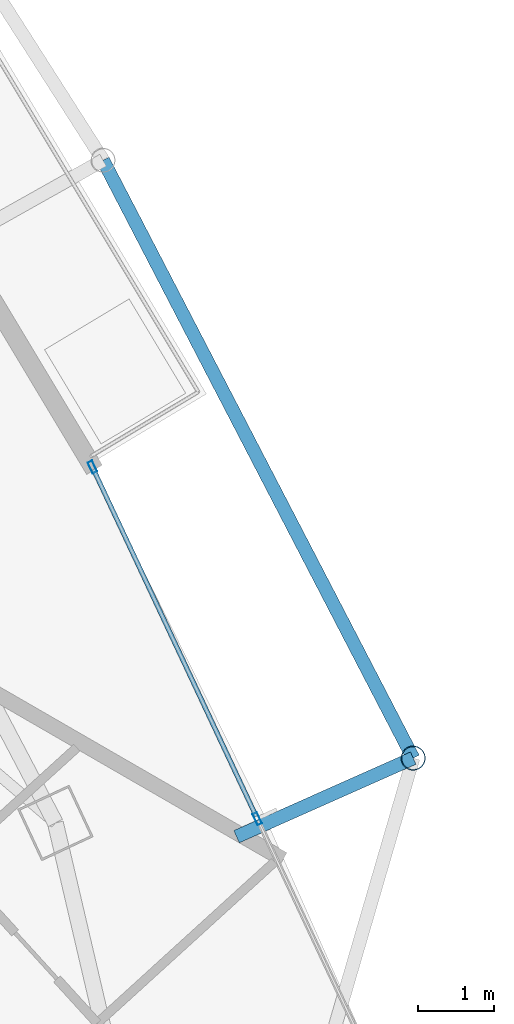
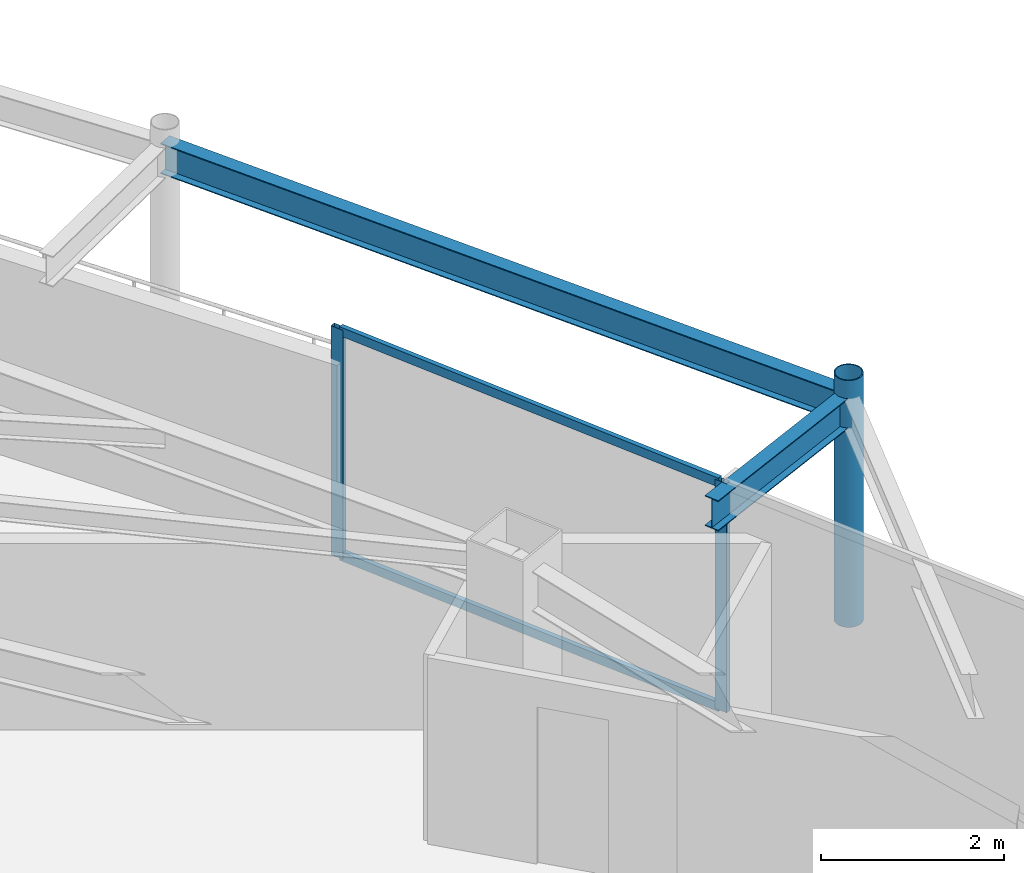
# One storey, part 20 of 33: 5 members, 2 beams, 1 element without a shape of its own.
"""IFC4 building model written with IfcOpenShell, lengths in metres."""

from ifc_helpers import new_model, si_unit, direction, frame, origin, origin_2d, place, context, subcontext, project, spatial, hollow_rectangle, hollow_circle, i_section, extrude, material, layer, layer_set, material_profile, profile_set, type_object, element, aggregate, save


model = new_model("IFC4")

# Units and contexts
model_context = context("Model", 3, precision=1e-05, world=origin(), true_north=direction((0.0, 1.0)))
body_context = subcontext(model_context, "Body", "Model", "MODEL_VIEW")
ifc_project = project(units=[si_unit("LENGTHUNIT", "METRE"), si_unit("AREAUNIT", "SQUARE_METRE"), si_unit("VOLUMEUNIT", "CUBIC_METRE"), si_unit("PLANEANGLEUNIT", "RADIAN"), si_unit("MASSUNIT", "GRAM", prefix="KILO")], contexts=[model_context])

# Site, building, storey
site_placement = place(None, origin())
site = spatial("IfcSite", under=ifc_project, at=site_placement, CompositionType="ELEMENT")
building_placement = place(site_placement, origin())
building = spatial("IfcBuilding", under=site, at=building_placement, Name="Orvanel Arch Residences", CompositionType="ELEMENT")
storey_placement = place(building_placement, frame((0.0, 0.0, 196.39990234375)))
storey = spatial("IfcBuildingStorey", under=building, at=storey_placement, Name="L55", CompositionType="ELEMENT", Elevation=196.39990234375)

# Curtain wall, members
ifc_material_1 = material(Name="Bronze-anodised aluminium AA6063-T6", Category="aluminium")
ifc_layer = layer(ifc_material_1, 0.175048828125)
ifc_layer_set = layer_set([ifc_layer], Name="Bronze-anodised aluminium AA6063-T6")
curtain_wall_type = type_object("IfcCurtainWallType", Name="CW4-HI-SYS", PredefinedType="NOTDEFINED", material=ifc_layer_set)
curtain_wall_placement = place(storey_placement, origin())
curtain_wall = element("IfcCurtainWall", 1, at=curtain_wall_placement, inside=storey, type_object=curtain_wall_type, Name="L55 CW4-HI-SYS Unitised Curtain Wall", PredefinedType="NOTDEFINED")
ifc_material_profile_1 = material_profile(ifc_material_1, hollow_rectangle(XDim=0.06494140625, YDim=0.159912109375, WallThickness=0.00390625, at=origin_2d()), Name="ALU160x65x4")
ifc_profile_set_1 = profile_set([ifc_material_profile_1], Name="Bronze-anodised aluminium AA6063-T6")
member_type_1 = type_object("IfcMemberType", Name="MUL-160x65", PredefinedType="MULLION", material=ifc_profile_set_1)
member_1_placement = place(storey_placement, frame((52.29541015625, 19.697998046875, 0.0), z_axis=(0.0, 0.0, 1.0), x_axis=(-0.905430980596, -0.424493509228, 0.0)))
member_1 = element("IfcMember", 2, at=member_1_placement, type_object=member_type_1, Name="CW-S4 mullion 2", PredefinedType="MULLION", context=body_context, shape_type="SweptSolid", body=[
    extrude(hollow_rectangle(XDim=0.06494140625, YDim=0.159912109375, WallThickness=0.00390625, at=origin_2d()), origin(), (0.0, 0.0, 1.0), 3.06005859375),
])
member_2_placement = place(storey_placement, frame((50.120849609375, 24.336669921875, 0.0), z_axis=(0.0, 0.0, 1.0), x_axis=(-0.905430980596, -0.424493509228, 0.0)))
member_2 = element("IfcMember", 3, at=member_2_placement, type_object=member_type_1, Name="CW-S4 mullion 3", PredefinedType="MULLION", context=body_context, shape_type="SweptSolid", body=[
    extrude(hollow_rectangle(XDim=0.06494140625, YDim=0.159912109375, WallThickness=0.00390625, at=origin_2d()), origin(), (0.0, 0.0, 1.0), 3.06005859375),
])

# Beams
ifc_material_2 = material(Name="Structural steel AS/NZS 3679.1 Grade 300 (300 MPa)", Category="steel")
ifc_material_profile_2 = material_profile(ifc_material_2, i_section(OverallWidth=0.177978515625, OverallDepth=0.406005859375, WebThickness=0.0078125, FlangeThickness=0.0126953125, at=origin_2d()), Name="410UB59.7")
ifc_profile_set_2 = profile_set([ifc_material_profile_2], Name="Structural steel AS/NZS 3679.1 Grade 300 (300 MPa)")
beam_type = type_object("IfcBeamType", Name="OB-410UB-EXT", PredefinedType="SPANDREL", material=ifc_profile_set_2)
beam_1_placement = place(storey_placement, frame((52.02197265625, 19.4609375, 2.857177734375), z_axis=(0.913732571389, 0.406316118291, 0.0), x_axis=(-0.406316118291, 0.913732571389, 0.0)))
element("IfcBeam", 4, at=beam_1_placement, inside=storey, type_object=beam_type, Name="L55 Outer Frame Radial Tie Beam 09", PredefinedType="SPANDREL", context=body_context, shape_type="SweptSolid", body=[
    extrude(i_section(OverallWidth=0.177978515625, OverallDepth=0.406005859375, WebThickness=0.0078125, FlangeThickness=0.0126953125, at=origin_2d()), origin(), (0.0, 0.0, 1.0), 2.550048828125),
])
beam_2_placement = place(storey_placement, frame((54.35205078125, 20.4970703125, 2.857177734375), z_axis=(-0.460455950574, 0.88768255451, 0.0), x_axis=(-0.88768255451, -0.460455950574, 0.0)))
element("IfcBeam", 5, at=beam_2_placement, inside=storey, type_object=beam_type, Name="L55 Outer Perimeter Floor Ring Beam 09", PredefinedType="SPANDREL", context=body_context, shape_type="SweptSolid", body=[
    extrude(i_section(OverallWidth=0.177978515625, OverallDepth=0.406005859375, WebThickness=0.0078125, FlangeThickness=0.0126953125, at=origin_2d()), origin(), (0.0, 0.0, 1.0), 8.8828125),
])

# Member
ifc_material_3 = material(Name="Structural steel AS/NZS 1163 C350L0 (Grade 350)", Category="steel")
ifc_material_profile_3 = material_profile(ifc_material_3, hollow_circle(Radius=0.162109375, WallThickness=0.0126953125, at=origin_2d()), Name="CHS324x12.7")
ifc_profile_set_3 = profile_set([ifc_material_profile_3], Name="Structural steel AS/NZS 1163 C350L0 (Grade 350)")
member_type_2 = type_object("IfcMemberType", Name="ST-324CHS-EXT", PredefinedType="STRUT", material=ifc_profile_set_3)
member_3_placement = place(storey_placement, frame((54.35205078125, 20.4970703125, 0.0), z_axis=(0.0, 0.0, 1.0), x_axis=(1.0, 0.0, 0.0)))
element("IfcMember", 6, at=member_3_placement, inside=storey, type_object=member_type_2, Name="L55 Outer Perimeter Frame Post 09", PredefinedType="STRUT", context=body_context, shape_type="SweptSolid", body=[
    extrude(hollow_circle(Radius=0.162109375, WallThickness=0.0126953125, at=origin_2d()), origin(), (0.0, 0.0, 1.0), 3.300048828125),
])

ifc_material_profile_4 = material_profile(ifc_material_1, hollow_rectangle(XDim=0.06005859375, YDim=0.1201171875, WallThickness=0.00341796875, at=origin_2d()), Name="ALU120x60x3.5")
ifc_profile_set_4 = profile_set([ifc_material_profile_4], Name="Bronze-anodised aluminium AA6063-T6")
member_type_3 = type_object("IfcMemberType", Name="TRN-120x60", PredefinedType="USERDEFINED", material=ifc_profile_set_4)
member_4_placement = place(storey_placement, frame((52.28173828125, 19.7275390625, 0.030029296875), z_axis=(-0.424520440489, 0.905418353916, 0.0), x_axis=(-0.905418353916, -0.424520440489, 0.0)))
member_4 = element("IfcMember", 7, at=member_4_placement, type_object=member_type_3, Name="CW-S4 transom 2.1", ObjectType="TRANSOM", PredefinedType="USERDEFINED", context=body_context, shape_type="SweptSolid", body=[
    extrude(hollow_rectangle(XDim=0.06005859375, YDim=0.1201171875, WallThickness=0.00341796875, at=origin_2d()), origin(), (0.0, 0.0, 1.0), 5.057861328125),
])

member_5_placement = place(storey_placement, frame((52.28173828125, 19.7275390625, 3.030029296875), z_axis=(-0.424520440489, 0.905418353916, 0.0), x_axis=(-0.905418353916, -0.424520440489, 0.0)))
member_5 = element("IfcMember", 8, at=member_5_placement, type_object=member_type_3, Name="CW-S4 transom 2.2", ObjectType="TRANSOM", PredefinedType="USERDEFINED", context=body_context, shape_type="SweptSolid", body=[
    extrude(hollow_rectangle(XDim=0.06005859375, YDim=0.1201171875, WallThickness=0.00341796875, at=origin_2d()), origin(), (0.0, 0.0, 1.0), 5.057861328125),
])

aggregate(curtain_wall, [member_1, member_2, member_4, member_5])

save(model, "model.ifc")
